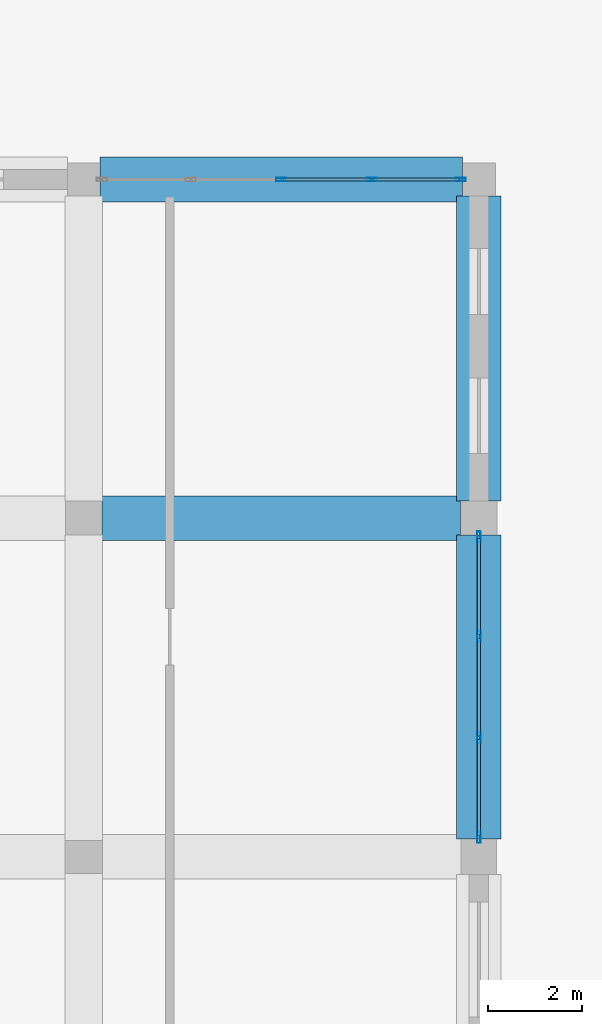
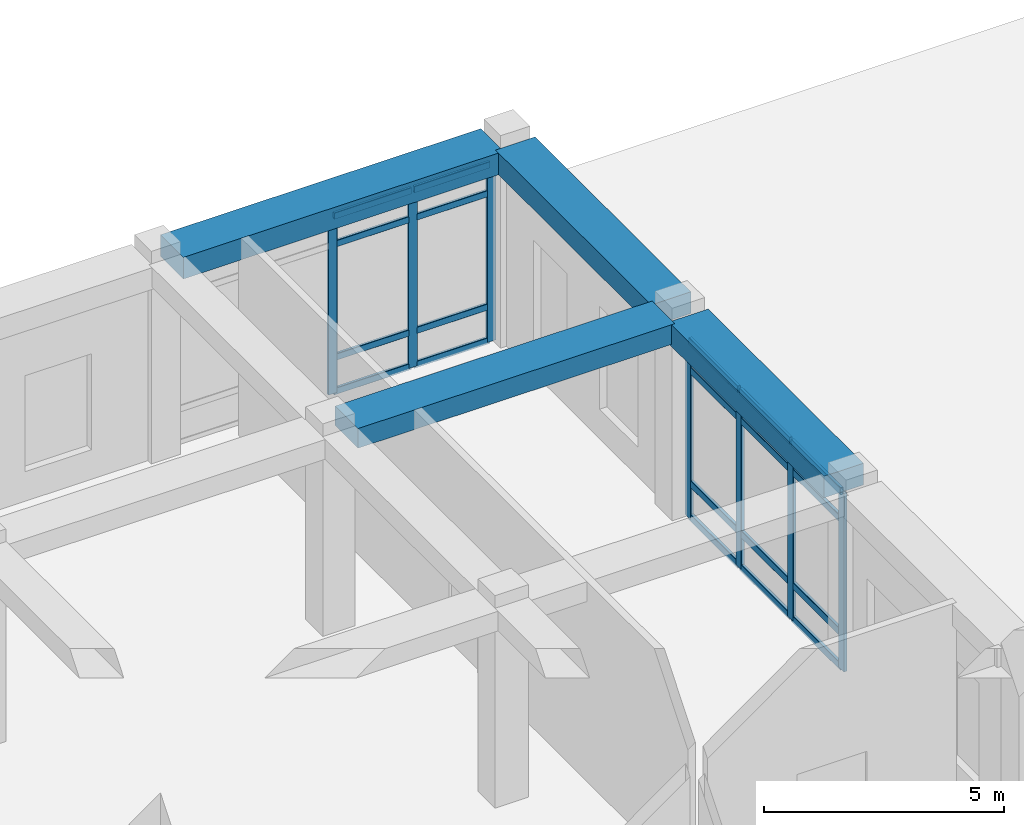
# One storey, part 41 of 84: 27 members, 4 beams, 2 elements without a shape of their own.
"""IFC4 building model written with IfcOpenShell, lengths in metres."""

from ifc_helpers import new_model, si_unit, derived_unit, direction, frame, origin, origin_2d, place, context, subcontext, project, spatial, rectangle, hollow_rectangle, extrude, material, material_profile, profile_set, type_object, element, aggregate, save


model = new_model("IFC4")

# Units and contexts
model_context = context("Model", 3, precision=1e-05, world=origin(), true_north=direction((0.0, 1.0)))
body_context = subcontext(model_context, "Body", "Model", "MODEL_VIEW")
ifc_project = project(units=[si_unit("LENGTHUNIT", "METRE"), si_unit("AREAUNIT", "SQUARE_METRE"), si_unit("VOLUMEUNIT", "CUBIC_METRE"), si_unit("PLANEANGLEUNIT", "RADIAN"), si_unit("MASSUNIT", "GRAM", prefix="KILO"), derived_unit("THERMALTRANSMITTANCEUNIT", [(si_unit("POWERUNIT", "WATT"), 1), (si_unit("LENGTHUNIT", "METRE"), -2), (si_unit("THERMODYNAMICTEMPERATUREUNIT", "KELVIN"), -1)])], contexts=[model_context])

# Site, building, storey
site_placement = place(None, origin())
site = spatial("IfcSite", under=ifc_project, at=site_placement, CompositionType="ELEMENT")
building_placement = place(site_placement, origin())
building = spatial("IfcBuilding", under=site, at=building_placement, Name="Veybourne Emporium", CompositionType="ELEMENT")
storey_placement = place(building_placement, origin())
storey = spatial("IfcBuildingStorey", under=building, at=storey_placement, Name="L00", CompositionType="ELEMENT", Elevation=0.0)

# Curtain wall, members
ifc_material_1 = material(Name="Patinated Architectural Bronze", Category="bronze")
curtain_wall_type_1 = type_object("IfcCurtainWallType", Name="CWSystem_CWS-07", PredefinedType="NOTDEFINED", material=ifc_material_1)
curtain_wall_1_placement = place(storey_placement, origin())
curtain_wall_1 = element("IfcCurtainWall", 1, at=curtain_wall_1_placement, inside=storey, type_object=curtain_wall_type_1, Name="L00 bronze glazed curtain wall CWS-07 (050)", PredefinedType="NOTDEFINED")
ifc_material_profile_1 = material_profile(ifc_material_1, hollow_rectangle(XDim=0.077880859375, YDim=0.235107421875, WallThickness=0.0048828125, InnerFilletRadius=0.007568359375, OuterFilletRadius=0.012451171875, at=origin_2d()), Name="CWM 78x235x5")
ifc_profile_set_1 = profile_set([ifc_material_profile_1], Name="Patinated Architectural Bronze")
member_type_1 = type_object("IfcMemberType", Name="CWMullion_CW-M3", PredefinedType="MULLION", material=ifc_profile_set_1)
member_1_placement = place(storey_placement, frame((100.800048828125, 107.60107421875, 0.0), z_axis=(0.0, 0.0, 1.0), x_axis=(1.0, 0.0, 0.0)))
member_1 = element("IfcMember", 2, at=member_1_placement, type_object=member_type_1, Name="CWS-07 mullion 1", PredefinedType="MULLION", context=body_context, shape_type="SweptSolid", body=[
    extrude(hollow_rectangle(XDim=0.077880859375, YDim=0.235107421875, WallThickness=0.0048828125, InnerFilletRadius=0.007568359375, OuterFilletRadius=0.012451171875, at=origin_2d()), origin(), (0.0, 0.0, 1.0), 4.530029296875),
])
member_2_placement = place(storey_placement, frame((100.800048828125, 105.485107421875, 0.0), z_axis=(0.0, 0.0, 1.0), x_axis=(1.0, 0.0, 0.0)))
member_2 = element("IfcMember", 3, at=member_2_placement, type_object=member_type_1, Name="CWS-07 mullion 2", PredefinedType="MULLION", context=body_context, shape_type="SweptSolid", body=[
    extrude(hollow_rectangle(XDim=0.077880859375, YDim=0.235107421875, WallThickness=0.0048828125, InnerFilletRadius=0.007568359375, OuterFilletRadius=0.012451171875, at=origin_2d()), origin(), (0.0, 0.0, 1.0), 4.530029296875),
])
member_3_placement = place(storey_placement, frame((100.800048828125, 103.330078125, 0.0), z_axis=(0.0, 0.0, 1.0), x_axis=(1.0, 0.0, 0.0)))
member_3 = element("IfcMember", 4, at=member_3_placement, type_object=member_type_1, Name="CWS-07 mullion 3", PredefinedType="MULLION", context=body_context, shape_type="SweptSolid", body=[
    extrude(hollow_rectangle(XDim=0.077880859375, YDim=0.235107421875, WallThickness=0.0048828125, InnerFilletRadius=0.007568359375, OuterFilletRadius=0.012451171875, at=origin_2d()), origin(), (0.0, 0.0, 1.0), 4.530029296875),
])
member_4_placement = place(storey_placement, frame((100.800048828125, 101.214111328125, 0.0), z_axis=(0.0, 0.0, 1.0), x_axis=(1.0, 0.0, 0.0)))
member_4 = element("IfcMember", 5, at=member_4_placement, type_object=member_type_1, Name="CWS-07 mullion 4", PredefinedType="MULLION", context=body_context, shape_type="SweptSolid", body=[
    extrude(hollow_rectangle(XDim=0.077880859375, YDim=0.235107421875, WallThickness=0.0048828125, InnerFilletRadius=0.007568359375, OuterFilletRadius=0.012451171875, at=origin_2d()), origin(), (0.0, 0.0, 1.0), 4.530029296875),
])

curtain_wall_type_2 = type_object("IfcCurtainWallType", Name="CWSystem_CWS-08", PredefinedType="NOTDEFINED", material=ifc_material_1)
curtain_wall_2_placement = place(storey_placement, origin())
curtain_wall_2 = element("IfcCurtainWall", 6, at=curtain_wall_2_placement, inside=storey, type_object=curtain_wall_type_2, Name="L00 bronze glazed curtain wall CWS-08 (052)", PredefinedType="NOTDEFINED")
ifc_material_profile_2 = material_profile(ifc_material_1, hollow_rectangle(XDim=0.070068359375, YDim=0.219970703125, WallThickness=0.0048828125, InnerFilletRadius=0.007568359375, OuterFilletRadius=0.012451171875, at=origin_2d()), Name="CWM 70x220x5")
ifc_profile_set_2 = profile_set([ifc_material_profile_2], Name="Patinated Architectural Bronze")
member_type_2 = type_object("IfcMemberType", Name="CWMullion_CW-M4", PredefinedType="MULLION", material=ifc_profile_set_2)
member_5_placement = place(storey_placement, frame((96.60009765625, 115.199951171875, 0.0), z_axis=(0.0, 0.0, 1.0), x_axis=(0.0, 1.0, 0.0)))
member_5 = element("IfcMember", 7, at=member_5_placement, type_object=member_type_2, Name="CWS-08 mullion 3", PredefinedType="MULLION", context=body_context, shape_type="SweptSolid", body=[
    extrude(hollow_rectangle(XDim=0.070068359375, YDim=0.219970703125, WallThickness=0.0048828125, InnerFilletRadius=0.007568359375, OuterFilletRadius=0.012451171875, at=origin_2d()), origin(), (0.0, 0.0, 1.0), 4.530029296875),
])
member_6_placement = place(storey_placement, frame((98.52490234375, 115.199951171875, 0.0), z_axis=(0.0, 0.0, 1.0), x_axis=(0.0, 1.0, 0.0)))
member_6 = element("IfcMember", 8, at=member_6_placement, type_object=member_type_2, Name="CWS-08 mullion 4", PredefinedType="MULLION", context=body_context, shape_type="SweptSolid", body=[
    extrude(hollow_rectangle(XDim=0.070068359375, YDim=0.219970703125, WallThickness=0.0048828125, InnerFilletRadius=0.007568359375, OuterFilletRadius=0.012451171875, at=origin_2d()), origin(), (0.0, 0.0, 1.0), 4.530029296875),
])
member_7_placement = place(storey_placement, frame((100.4150390625, 115.199951171875, 0.0), z_axis=(0.0, 0.0, 1.0), x_axis=(0.0, 1.0, 0.0)))
member_7 = element("IfcMember", 9, at=member_7_placement, type_object=member_type_2, Name="CWS-08 mullion 5", PredefinedType="MULLION", context=body_context, shape_type="SweptSolid", body=[
    extrude(hollow_rectangle(XDim=0.070068359375, YDim=0.219970703125, WallThickness=0.0048828125, InnerFilletRadius=0.007568359375, OuterFilletRadius=0.012451171875, at=origin_2d()), origin(), (0.0, 0.0, 1.0), 4.530029296875),
])

# Member
ifc_material_profile_3 = material_profile(ifc_material_1, hollow_rectangle(XDim=0.077880859375, YDim=0.18505859375, WallThickness=0.0048828125, InnerFilletRadius=0.007568359375, OuterFilletRadius=0.012451171875, at=origin_2d()), Name="CWT 78x185x5")
ifc_profile_set_3 = profile_set([ifc_material_profile_3], Name="Patinated Architectural Bronze")
member_type_3 = type_object("IfcMemberType", Name="CWTransom_CW-T3", PredefinedType="NOTDEFINED", material=ifc_profile_set_3)
member_8_placement = place(storey_placement, frame((100.800048828125, 107.56201171875, 0.0390625), z_axis=(0.0, -1.0, 0.0), x_axis=(1.0, 0.0, 0.0)))
member_8 = element("IfcMember", 10, at=member_8_placement, type_object=member_type_3, Name="CWS-07 transom 1.1", ObjectType="TRANSOM", PredefinedType="USERDEFINED", context=body_context, shape_type="SweptSolid", body=[
    extrude(hollow_rectangle(XDim=0.077880859375, YDim=0.18505859375, WallThickness=0.0048828125, InnerFilletRadius=0.007568359375, OuterFilletRadius=0.012451171875, at=origin_2d()), origin(), (0.0, 0.0, 1.0), 2.0380859375),
])

member_9_placement = place(storey_placement, frame((100.800048828125, 107.56201171875, 0.89990234375), z_axis=(0.0, -1.0, 0.0), x_axis=(1.0, 0.0, 0.0)))
member_9 = element("IfcMember", 11, at=member_9_placement, type_object=member_type_3, Name="CWS-07 transom 1.2", ObjectType="TRANSOM", PredefinedType="USERDEFINED", context=body_context, shape_type="SweptSolid", body=[
    extrude(hollow_rectangle(XDim=0.077880859375, YDim=0.18505859375, WallThickness=0.0048828125, InnerFilletRadius=0.007568359375, OuterFilletRadius=0.012451171875, at=origin_2d()), origin(), (0.0, 0.0, 1.0), 2.0380859375),
])

member_10_placement = place(storey_placement, frame((100.800048828125, 107.56201171875, 3.780029296875), z_axis=(0.0, -1.0, 0.0), x_axis=(1.0, 0.0, 0.0)))
member_10 = element("IfcMember", 12, at=member_10_placement, type_object=member_type_3, Name="CWS-07 transom 1.3", ObjectType="TRANSOM", PredefinedType="USERDEFINED", context=body_context, shape_type="SweptSolid", body=[
    extrude(hollow_rectangle(XDim=0.077880859375, YDim=0.18505859375, WallThickness=0.0048828125, InnerFilletRadius=0.007568359375, OuterFilletRadius=0.012451171875, at=origin_2d()), origin(), (0.0, 0.0, 1.0), 2.0380859375),
])

member_11_placement = place(storey_placement, frame((100.800048828125, 107.56201171875, 4.490966796875), z_axis=(0.0, -1.0, 0.0), x_axis=(1.0, 0.0, 0.0)))
member_11 = element("IfcMember", 13, at=member_11_placement, type_object=member_type_3, Name="CWS-07 transom 1.4", ObjectType="TRANSOM", PredefinedType="USERDEFINED", context=body_context, shape_type="SweptSolid", body=[
    extrude(hollow_rectangle(XDim=0.077880859375, YDim=0.18505859375, WallThickness=0.0048828125, InnerFilletRadius=0.007568359375, OuterFilletRadius=0.012451171875, at=origin_2d()), origin(), (0.0, 0.0, 1.0), 2.0380859375),
])

member_12_placement = place(storey_placement, frame((100.800048828125, 105.446044921875, 0.0390625), z_axis=(0.0, -1.0, 0.0), x_axis=(1.0, 0.0, 0.0)))
member_12 = element("IfcMember", 14, at=member_12_placement, type_object=member_type_3, Name="CWS-07 transom 2.1", ObjectType="TRANSOM", PredefinedType="USERDEFINED", context=body_context, shape_type="SweptSolid", body=[
    extrude(hollow_rectangle(XDim=0.077880859375, YDim=0.18505859375, WallThickness=0.0048828125, InnerFilletRadius=0.007568359375, OuterFilletRadius=0.012451171875, at=origin_2d()), origin(), (0.0, 0.0, 1.0), 2.0771484375),
])

member_13_placement = place(storey_placement, frame((100.800048828125, 105.446044921875, 0.89990234375), z_axis=(0.0, -1.0, 0.0), x_axis=(1.0, 0.0, 0.0)))
member_13 = element("IfcMember", 15, at=member_13_placement, type_object=member_type_3, Name="CWS-07 transom 2.2", ObjectType="TRANSOM", PredefinedType="USERDEFINED", context=body_context, shape_type="SweptSolid", body=[
    extrude(hollow_rectangle(XDim=0.077880859375, YDim=0.18505859375, WallThickness=0.0048828125, InnerFilletRadius=0.007568359375, OuterFilletRadius=0.012451171875, at=origin_2d()), origin(), (0.0, 0.0, 1.0), 2.0771484375),
])

member_14_placement = place(storey_placement, frame((100.800048828125, 105.446044921875, 3.780029296875), z_axis=(0.0, -1.0, 0.0), x_axis=(1.0, 0.0, 0.0)))
member_14 = element("IfcMember", 16, at=member_14_placement, type_object=member_type_3, Name="CWS-07 transom 2.3", ObjectType="TRANSOM", PredefinedType="USERDEFINED", context=body_context, shape_type="SweptSolid", body=[
    extrude(hollow_rectangle(XDim=0.077880859375, YDim=0.18505859375, WallThickness=0.0048828125, InnerFilletRadius=0.007568359375, OuterFilletRadius=0.012451171875, at=origin_2d()), origin(), (0.0, 0.0, 1.0), 2.0771484375),
])

member_15_placement = place(storey_placement, frame((100.800048828125, 105.446044921875, 4.490966796875), z_axis=(0.0, -1.0, 0.0), x_axis=(1.0, 0.0, 0.0)))
member_15 = element("IfcMember", 17, at=member_15_placement, type_object=member_type_3, Name="CWS-07 transom 2.4", ObjectType="TRANSOM", PredefinedType="USERDEFINED", context=body_context, shape_type="SweptSolid", body=[
    extrude(hollow_rectangle(XDim=0.077880859375, YDim=0.18505859375, WallThickness=0.0048828125, InnerFilletRadius=0.007568359375, OuterFilletRadius=0.012451171875, at=origin_2d()), origin(), (0.0, 0.0, 1.0), 2.0771484375),
])

member_16_placement = place(storey_placement, frame((100.800048828125, 103.291015625, 0.0390625), z_axis=(0.0, -1.0, 0.0), x_axis=(1.0, 0.0, 0.0)))
member_16 = element("IfcMember", 18, at=member_16_placement, type_object=member_type_3, Name="CWS-07 transom 3.1", ObjectType="TRANSOM", PredefinedType="USERDEFINED", context=body_context, shape_type="SweptSolid", body=[
    extrude(hollow_rectangle(XDim=0.077880859375, YDim=0.18505859375, WallThickness=0.0048828125, InnerFilletRadius=0.007568359375, OuterFilletRadius=0.012451171875, at=origin_2d()), origin(), (0.0, 0.0, 1.0), 2.0380859375),
])

member_17_placement = place(storey_placement, frame((100.800048828125, 103.291015625, 0.89990234375), z_axis=(0.0, -1.0, 0.0), x_axis=(1.0, 0.0, 0.0)))
member_17 = element("IfcMember", 19, at=member_17_placement, type_object=member_type_3, Name="CWS-07 transom 3.2", ObjectType="TRANSOM", PredefinedType="USERDEFINED", context=body_context, shape_type="SweptSolid", body=[
    extrude(hollow_rectangle(XDim=0.077880859375, YDim=0.18505859375, WallThickness=0.0048828125, InnerFilletRadius=0.007568359375, OuterFilletRadius=0.012451171875, at=origin_2d()), origin(), (0.0, 0.0, 1.0), 2.0380859375),
])

member_18_placement = place(storey_placement, frame((100.800048828125, 103.291015625, 3.780029296875), z_axis=(0.0, -1.0, 0.0), x_axis=(1.0, 0.0, 0.0)))
member_18 = element("IfcMember", 20, at=member_18_placement, type_object=member_type_3, Name="CWS-07 transom 3.3", ObjectType="TRANSOM", PredefinedType="USERDEFINED", context=body_context, shape_type="SweptSolid", body=[
    extrude(hollow_rectangle(XDim=0.077880859375, YDim=0.18505859375, WallThickness=0.0048828125, InnerFilletRadius=0.007568359375, OuterFilletRadius=0.012451171875, at=origin_2d()), origin(), (0.0, 0.0, 1.0), 2.0380859375),
])

member_19_placement = place(storey_placement, frame((100.800048828125, 103.291015625, 4.490966796875), z_axis=(0.0, -1.0, 0.0), x_axis=(1.0, 0.0, 0.0)))
member_19 = element("IfcMember", 21, at=member_19_placement, type_object=member_type_3, Name="CWS-07 transom 3.4", ObjectType="TRANSOM", PredefinedType="USERDEFINED", context=body_context, shape_type="SweptSolid", body=[
    extrude(hollow_rectangle(XDim=0.077880859375, YDim=0.18505859375, WallThickness=0.0048828125, InnerFilletRadius=0.007568359375, OuterFilletRadius=0.012451171875, at=origin_2d()), origin(), (0.0, 0.0, 1.0), 2.0380859375),
])

aggregate(curtain_wall_1, [member_1, member_2, member_3, member_4, member_8, member_9, member_10, member_11, member_12, member_13, member_14, member_15, member_16, member_17, member_18, member_19])

ifc_material_profile_4 = material_profile(ifc_material_1, hollow_rectangle(XDim=0.070068359375, YDim=0.169921875, WallThickness=0.0048828125, InnerFilletRadius=0.007568359375, OuterFilletRadius=0.012451171875, at=origin_2d()), Name="CWT 70x170x5")
ifc_profile_set_4 = profile_set([ifc_material_profile_4], Name="Patinated Architectural Bronze")
member_type_4 = type_object("IfcMemberType", Name="CWTransom_CW-T4", PredefinedType="NOTDEFINED", material=ifc_profile_set_4)
member_20_placement = place(storey_placement, frame((96.635009765625, 115.199951171875, 0.034912109375), z_axis=(1.0, 0.0, 0.0), x_axis=(0.0, 1.0, 0.0)))
member_20 = element("IfcMember", 22, at=member_20_placement, type_object=member_type_4, Name="CWS-08 transom 3.1", ObjectType="TRANSOM", PredefinedType="USERDEFINED", context=body_context, shape_type="SweptSolid", body=[
    extrude(hollow_rectangle(XDim=0.070068359375, YDim=0.169921875, WallThickness=0.0048828125, InnerFilletRadius=0.007568359375, OuterFilletRadius=0.012451171875, at=origin_2d()), origin(), (0.0, 0.0, 1.0), 1.85498046875),
])

member_21_placement = place(storey_placement, frame((96.635009765625, 115.199951171875, 0.89990234375), z_axis=(1.0, 0.0, 0.0), x_axis=(0.0, 1.0, 0.0)))
member_21 = element("IfcMember", 23, at=member_21_placement, type_object=member_type_4, Name="CWS-08 transom 3.2", ObjectType="TRANSOM", PredefinedType="USERDEFINED", context=body_context, shape_type="SweptSolid", body=[
    extrude(hollow_rectangle(XDim=0.070068359375, YDim=0.169921875, WallThickness=0.0048828125, InnerFilletRadius=0.007568359375, OuterFilletRadius=0.012451171875, at=origin_2d()), origin(), (0.0, 0.0, 1.0), 1.85498046875),
])

member_22_placement = place(storey_placement, frame((96.635009765625, 115.199951171875, 3.780029296875), z_axis=(1.0, 0.0, 0.0), x_axis=(0.0, 1.0, 0.0)))
member_22 = element("IfcMember", 24, at=member_22_placement, type_object=member_type_4, Name="CWS-08 transom 3.3", ObjectType="TRANSOM", PredefinedType="USERDEFINED", context=body_context, shape_type="SweptSolid", body=[
    extrude(hollow_rectangle(XDim=0.070068359375, YDim=0.169921875, WallThickness=0.0048828125, InnerFilletRadius=0.007568359375, OuterFilletRadius=0.012451171875, at=origin_2d()), origin(), (0.0, 0.0, 1.0), 1.85498046875),
])

member_23_placement = place(storey_placement, frame((96.635009765625, 115.199951171875, 4.4951171875), z_axis=(1.0, 0.0, 0.0), x_axis=(0.0, 1.0, 0.0)))
member_23 = element("IfcMember", 25, at=member_23_placement, type_object=member_type_4, Name="CWS-08 transom 3.4", ObjectType="TRANSOM", PredefinedType="USERDEFINED", context=body_context, shape_type="SweptSolid", body=[
    extrude(hollow_rectangle(XDim=0.070068359375, YDim=0.169921875, WallThickness=0.0048828125, InnerFilletRadius=0.007568359375, OuterFilletRadius=0.012451171875, at=origin_2d()), origin(), (0.0, 0.0, 1.0), 1.85498046875),
])

member_24_placement = place(storey_placement, frame((98.56005859375, 115.199951171875, 0.034912109375), z_axis=(1.0, 0.0, 0.0), x_axis=(0.0, 1.0, 0.0)))
member_24 = element("IfcMember", 26, at=member_24_placement, type_object=member_type_4, Name="CWS-08 transom 4.1", ObjectType="TRANSOM", PredefinedType="USERDEFINED", context=body_context, shape_type="SweptSolid", body=[
    extrude(hollow_rectangle(XDim=0.070068359375, YDim=0.169921875, WallThickness=0.0048828125, InnerFilletRadius=0.007568359375, OuterFilletRadius=0.012451171875, at=origin_2d()), origin(), (0.0, 0.0, 1.0), 1.81982421875),
])

member_25_placement = place(storey_placement, frame((98.56005859375, 115.199951171875, 0.89990234375), z_axis=(1.0, 0.0, 0.0), x_axis=(0.0, 1.0, 0.0)))
member_25 = element("IfcMember", 27, at=member_25_placement, type_object=member_type_4, Name="CWS-08 transom 4.2", ObjectType="TRANSOM", PredefinedType="USERDEFINED", context=body_context, shape_type="SweptSolid", body=[
    extrude(hollow_rectangle(XDim=0.070068359375, YDim=0.169921875, WallThickness=0.0048828125, InnerFilletRadius=0.007568359375, OuterFilletRadius=0.012451171875, at=origin_2d()), origin(), (0.0, 0.0, 1.0), 1.81982421875),
])

member_26_placement = place(storey_placement, frame((98.56005859375, 115.199951171875, 3.780029296875), z_axis=(1.0, 0.0, 0.0), x_axis=(0.0, 1.0, 0.0)))
member_26 = element("IfcMember", 28, at=member_26_placement, type_object=member_type_4, Name="CWS-08 transom 4.3", ObjectType="TRANSOM", PredefinedType="USERDEFINED", context=body_context, shape_type="SweptSolid", body=[
    extrude(hollow_rectangle(XDim=0.070068359375, YDim=0.169921875, WallThickness=0.0048828125, InnerFilletRadius=0.007568359375, OuterFilletRadius=0.012451171875, at=origin_2d()), origin(), (0.0, 0.0, 1.0), 1.81982421875),
])

member_27_placement = place(storey_placement, frame((98.56005859375, 115.199951171875, 4.4951171875), z_axis=(1.0, 0.0, 0.0), x_axis=(0.0, 1.0, 0.0)))
member_27 = element("IfcMember", 29, at=member_27_placement, type_object=member_type_4, Name="CWS-08 transom 4.4", ObjectType="TRANSOM", PredefinedType="USERDEFINED", context=body_context, shape_type="SweptSolid", body=[
    extrude(hollow_rectangle(XDim=0.070068359375, YDim=0.169921875, WallThickness=0.0048828125, InnerFilletRadius=0.007568359375, OuterFilletRadius=0.012451171875, at=origin_2d()), origin(), (0.0, 0.0, 1.0), 1.81982421875),
])

aggregate(curtain_wall_2, [member_5, member_6, member_7, member_20, member_21, member_22, member_23, member_24, member_25, member_26, member_27])

# Beams
ifc_material_2 = material(Name="Concrete C32/40", Category="concrete")
ifc_material_profile_5 = material_profile(ifc_material_2, rectangle(XDim=0.949951171875, YDim=0.5, at=origin_2d()), Name="RC 950x500")
ifc_profile_set_5 = profile_set([ifc_material_profile_5], Name="Concrete C32/40")
beam_type_1 = type_object("IfcBeamType", Name="RCBeam_BB-01", PredefinedType="BEAM", material=ifc_profile_set_5)
beam_1_placement = place(storey_placement, frame((92.7900390625, 108.0, 4.830078125), z_axis=(1.0, 0.0, 0.0), x_axis=(0.0, 1.0, 0.0)))
element("IfcBeam", 30, at=beam_1_placement, inside=storey, type_object=beam_type_1, Name="L00 X-grid beam BB-01 (11,15)", PredefinedType="BEAM", context=body_context, shape_type="SweptSolid", body=[
    extrude(rectangle(XDim=0.949951171875, YDim=0.5, at=origin_2d()), origin(), (0.0, 0.0, 1.0), 7.619873046875),
])
ifc_material_profile_6 = material_profile(ifc_material_2, rectangle(XDim=0.949951171875, YDim=0.550048828125, at=origin_2d()), Name="RC 950x550")
ifc_profile_set_6 = profile_set([ifc_material_profile_6], Name="Concrete C32/40")
beam_type_2 = type_object("IfcBeamType", Name="RCBeam_EB-01", PredefinedType="SPANDREL", material=ifc_profile_set_6)
beam_2_placement = place(storey_placement, frame((92.75, 115.199951171875, 4.804931640625), z_axis=(1.0, 0.0, 0.0), x_axis=(0.0, 1.0, 0.0)))
element("IfcBeam", 31, at=beam_2_placement, inside=storey, type_object=beam_type_2, Name="L00 X-grid beam EB-01 (11,16)", PredefinedType="SPANDREL", context=body_context, shape_type="SweptSolid", body=[
    extrude(rectangle(XDim=0.949951171875, YDim=0.550048828125, at=origin_2d()), origin(), (0.0, 0.0, 1.0), 7.699951171875),
])
beam_3_placement = place(storey_placement, frame((100.800048828125, 101.175048828125, 4.804931640625), z_axis=(0.0, 1.0, 0.0), x_axis=(-1.0, 0.0, 0.0)))
element("IfcBeam", 32, at=beam_3_placement, inside=storey, type_object=beam_type_2, Name="L00 Y-grid beam EB-01 (12,14)", PredefinedType="SPANDREL", context=body_context, shape_type="SweptSolid", body=[
    extrude(rectangle(XDim=0.949951171875, YDim=0.550048828125, at=origin_2d()), origin(), (0.0, 0.0, 1.0), 6.46484375),
])
beam_4_placement = place(storey_placement, frame((100.800048828125, 108.360107421875, 4.804931640625), z_axis=(0.0, 1.0, 0.0), x_axis=(-1.0, 0.0, 0.0)))
element("IfcBeam", 33, at=beam_4_placement, inside=storey, type_object=beam_type_2, Name="L00 Y-grid beam EB-01 (12,15)", PredefinedType="SPANDREL", context=body_context, shape_type="SweptSolid", body=[
    extrude(rectangle(XDim=0.949951171875, YDim=0.550048828125, at=origin_2d()), origin(), (0.0, 0.0, 1.0), 6.489990234375),
])

save(model, "model.ifc")
